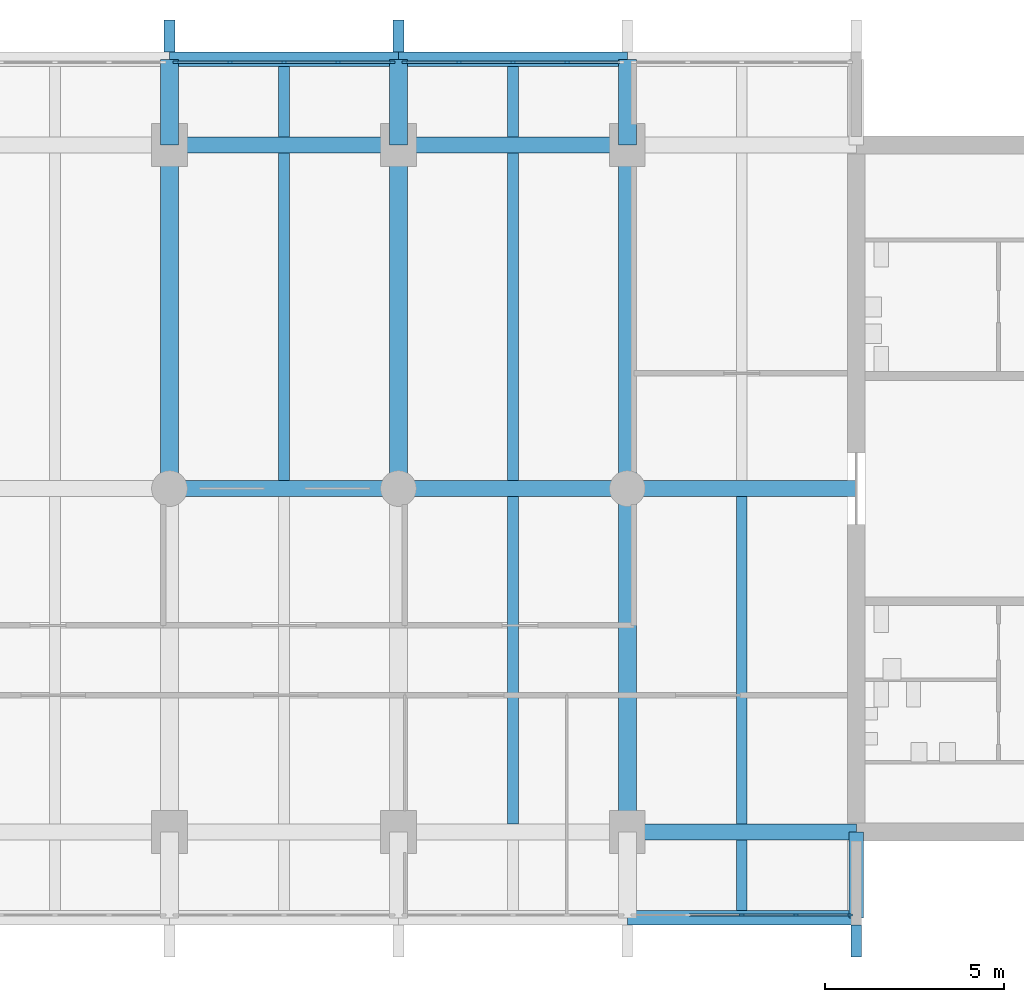
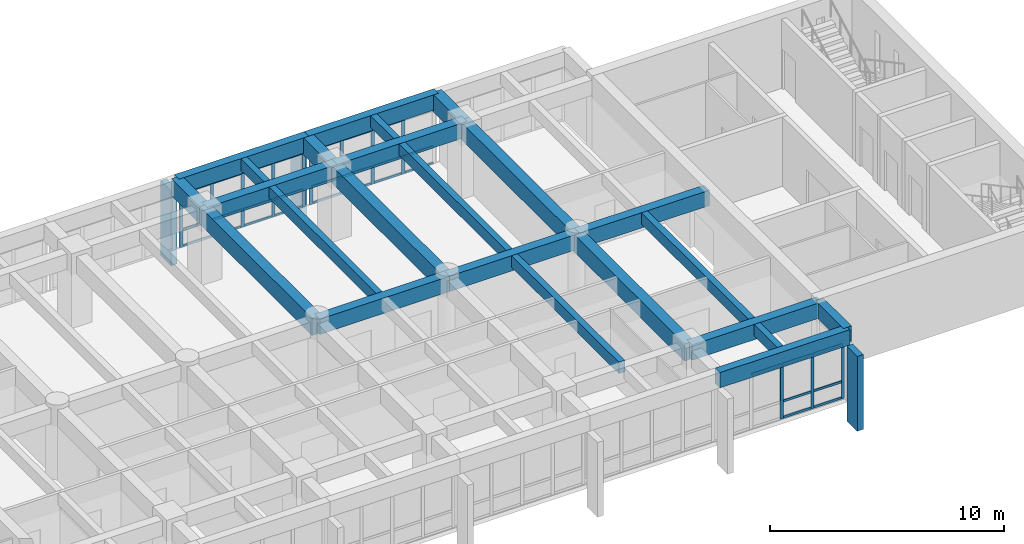
# One storey, part 5 of 15: 45 members, 24 beams, 3 elements without a shape of their own.
"""IFC4 building model written with IfcOpenShell, lengths in metres."""

from ifc_helpers import new_model, si_unit, direction, frame, origin, origin_2d, place, context, subcontext, project, spatial, rectangle, extrude, material, layer, layer_set, material_profile, profile_set, type_object, element, aggregate, save


model = new_model("IFC4")

# Units and contexts
model_context = context("Model", 3, precision=1e-05, world=origin(), true_north=direction((0.0, 1.0)))
body_context = subcontext(model_context, "Body", "Model", "MODEL_VIEW")
ifc_project = project(units=[si_unit("LENGTHUNIT", "METRE"), si_unit("AREAUNIT", "SQUARE_METRE"), si_unit("VOLUMEUNIT", "CUBIC_METRE"), si_unit("PLANEANGLEUNIT", "RADIAN"), si_unit("MASSUNIT", "GRAM", prefix="KILO")], contexts=[model_context])

# Site, building, storey
site_placement = place(None, origin())
site = spatial("IfcSite", under=ifc_project, at=site_placement, CompositionType="ELEMENT")
building_placement = place(site_placement, origin())
building = spatial("IfcBuilding", under=site, at=building_placement, Name="Fogon Plaza Fire Station and Headquarters Tower", CompositionType="ELEMENT")
storey_placement = place(building_placement, frame((0.0, 0.0, 28.800048828125)))
storey = spatial("IfcBuildingStorey", under=building, at=storey_placement, Name="L07", CompositionType="ELEMENT", Elevation=28.800048828125)

# Beams
ifc_material_1 = material(Name="Concrete C40", Category="concrete")
ifc_material_profile_1 = material_profile(ifc_material_1, rectangle(XDim=0.39990234375, YDim=0.800048828125, at=origin_2d()), Name="RC 400x800")
ifc_profile_set_1 = profile_set([ifc_material_profile_1], Name="Concrete C40")
beam_type_1 = type_object("IfcBeamType", Name="BEAM RC 400x800", PredefinedType="BEAM", material=ifc_profile_set_1)
for number, where, z_axis, x_axis, name in (
    (1, (57.60009765625, 31.199951171875, 3.280029296875), (1.0, 0.0, 0.0), (0.0, 1.0, 0.0), "beam-L07-044"),
    (2, (44.800048828125, 55.199951171875, 3.280029296875), (1.0, 0.0, 0.0), (0.0, 1.0, 0.0), "beam-L07-048"),
):
    element("IfcBeam", number, at=place(storey_placement, frame(where, z_axis=z_axis, x_axis=x_axis)), inside=storey, type_object=beam_type_1, Name=name, PredefinedType="BEAM", context=body_context, shape_type="SweptSolid", body=[
        extrude(rectangle(XDim=0.39990234375, YDim=0.800048828125, at=origin_2d()), origin(), (0.0, 0.0, 1.0), 6.39990234375),
    ])
beam_1_placement = place(storey_placement, frame((51.199951171875, 55.199951171875, 3.280029296875), z_axis=(1.0, 0.0, 0.0), x_axis=(0.0, 1.0, 0.0)))
element("IfcBeam", 3, at=beam_1_placement, inside=storey, type_object=beam_type_1, Name="beam-L07-049", PredefinedType="BEAM", context=body_context, shape_type="SweptSolid", body=[
    extrude(rectangle(XDim=0.39990234375, YDim=0.800048828125, at=origin_2d()), origin(), (0.0, 0.0, 1.0), 6.400146484375),
])
ifc_material_2 = material(Name="Concrete C40", Category="concrete")
ifc_material_profile_2 = material_profile(ifc_material_2, rectangle(XDim=0.39990234375, YDim=0.800048828125, at=origin_2d()), Name="RC 400x800")
ifc_profile_set_2 = profile_set([ifc_material_profile_2], Name="Concrete C40")
beam_type_2 = type_object("IfcBeamType", Name="BEAM RC 400x800 SPAN 0.0 TO 3.0 M", PredefinedType="BEAM", material=ifc_profile_set_2)
beam_2_placement = place(storey_placement, frame((64.0, 31.199951171875, 3.280029296875), z_axis=(0.0, 1.0, 0.0), x_axis=(-1.0, 0.0, 0.0)))
element("IfcBeam", 4, at=beam_2_placement, inside=storey, type_object=beam_type_2, Name="beam-L07-053", PredefinedType="BEAM", context=body_context, shape_type="SweptSolid", body=[
    extrude(rectangle(XDim=0.39990234375, YDim=0.800048828125, at=origin_2d()), origin(), (0.0, 0.0, 1.0), 2.400146484375),
])
ifc_material_3 = material(Name="Concrete C40", Category="concrete")
ifc_material_profile_3 = material_profile(ifc_material_3, rectangle(XDim=0.449951171875, YDim=0.800048828125, at=origin_2d()), Name="RC 450x800")
ifc_profile_set_3 = profile_set([ifc_material_profile_3], Name="Concrete C40")
beam_type_3 = type_object("IfcBeamType", Name="BEAM RC 450x800", PredefinedType="BEAM", material=ifc_profile_set_3)
for number, where, z_axis, x_axis, name in (
    (5, (57.60009765625, 33.60009765625, 3.280029296875), (1.0, 0.0, 0.0), (0.0, 1.0, 0.0), "beam-L07-026"),
    (6, (44.800048828125, 43.199951171875, 3.280029296875), (1.0, 0.0, 0.0), (0.0, 1.0, 0.0), "beam-L07-030"),
):
    element("IfcBeam", number, at=place(storey_placement, frame(where, z_axis=z_axis, x_axis=x_axis)), inside=storey, type_object=beam_type_3, Name=name, PredefinedType="BEAM", context=body_context, shape_type="SweptSolid", body=[
        extrude(rectangle(XDim=0.449951171875, YDim=0.800048828125, at=origin_2d()), origin(), (0.0, 0.0, 1.0), 6.39990234375),
    ])
beam_3_placement = place(storey_placement, frame((51.199951171875, 43.199951171875, 3.280029296875), z_axis=(1.0, 0.0, 0.0), x_axis=(0.0, 1.0, 0.0)))
element("IfcBeam", 7, at=beam_3_placement, inside=storey, type_object=beam_type_3, Name="beam-L07-031", PredefinedType="BEAM", context=body_context, shape_type="SweptSolid", body=[
    extrude(rectangle(XDim=0.449951171875, YDim=0.800048828125, at=origin_2d()), origin(), (0.0, 0.0, 1.0), 6.400146484375),
])
for number, where, z_axis, x_axis, name in (
    (8, (57.60009765625, 43.199951171875, 3.280029296875), (1.0, 0.0, 0.0), (0.0, 1.0, 0.0), "beam-L07-032"),
    (9, (44.800048828125, 52.800048828125, 3.280029296875), (1.0, 0.0, 0.0), (0.0, 1.0, 0.0), "beam-L07-036"),
):
    element("IfcBeam", number, at=place(storey_placement, frame(where, z_axis=z_axis, x_axis=x_axis)), inside=storey, type_object=beam_type_3, Name=name, PredefinedType="BEAM", context=body_context, shape_type="SweptSolid", body=[
        extrude(rectangle(XDim=0.449951171875, YDim=0.800048828125, at=origin_2d()), origin(), (0.0, 0.0, 1.0), 6.39990234375),
    ])
beam_4_placement = place(storey_placement, frame((51.199951171875, 52.800048828125, 3.280029296875), z_axis=(1.0, 0.0, 0.0), x_axis=(0.0, 1.0, 0.0)))
element("IfcBeam", 10, at=beam_4_placement, inside=storey, type_object=beam_type_3, Name="beam-L07-037", PredefinedType="BEAM", context=body_context, shape_type="SweptSolid", body=[
    extrude(rectangle(XDim=0.449951171875, YDim=0.800048828125, at=origin_2d()), origin(), (0.0, 0.0, 1.0), 6.400146484375),
])
ifc_material_4 = material(Name="Concrete C40", Category="concrete")
ifc_material_profile_4 = material_profile(ifc_material_4, rectangle(XDim=0.5, YDim=0.89990234375, at=origin_2d()), Name="RC 500x900")
ifc_profile_set_4 = profile_set([ifc_material_profile_4], Name="Concrete C40")
beam_type_4 = type_object("IfcBeamType", Name="BEAM RC 500x900 SPAN 0.0 TO 3.0 M", PredefinedType="BEAM", material=ifc_profile_set_4)
for number, where, z_axis, x_axis, name in (
    (11, (44.800048828125, 52.800048828125, 3.22998046875), (0.0, 1.0, 0.0), (-1.0, 0.0, 0.0), "beam-L07-012"),
    (12, (51.199951171875, 52.800048828125, 3.22998046875), (0.0, 1.0, 0.0), (-1.0, 0.0, 0.0), "beam-L07-016"),
    (13, (57.60009765625, 52.800048828125, 3.22998046875), (0.0, 1.0, 0.0), (-1.0, 0.0, 0.0), "beam-L07-020"),
):
    element("IfcBeam", number, at=place(storey_placement, frame(where, z_axis=z_axis, x_axis=x_axis)), inside=storey, type_object=beam_type_4, Name=name, PredefinedType="BEAM", context=body_context, shape_type="SweptSolid", body=[
        extrude(rectangle(XDim=0.5, YDim=0.89990234375, at=origin_2d()), origin(), (0.0, 0.0, 1.0), 2.39990234375),
    ])
ifc_material_5 = material(Name="Concrete C40", Category="concrete")
ifc_material_profile_5 = material_profile(ifc_material_5, rectangle(XDim=0.5, YDim=0.89990234375, at=origin_2d()), Name="RC 500x900")
ifc_profile_set_5 = profile_set([ifc_material_profile_5], Name="Concrete C40")
beam_type_5 = type_object("IfcBeamType", Name="BEAM RC 500x900 SPAN 7.7 TO 12.3 M", PredefinedType="BEAM", material=ifc_profile_set_5)
for number, where, z_axis, x_axis, name in (
    (14, (44.800048828125, 43.199951171875, 3.22998046875), (0.0, 1.0, 0.0), (-1.0, 0.0, 0.0), "beam-L07-011"),
    (15, (51.199951171875, 43.199951171875, 3.22998046875), (0.0, 1.0, 0.0), (-1.0, 0.0, 0.0), "beam-L07-015"),
):
    element("IfcBeam", number, at=place(storey_placement, frame(where, z_axis=z_axis, x_axis=x_axis)), inside=storey, type_object=beam_type_5, Name=name, PredefinedType="BEAM", context=body_context, shape_type="SweptSolid", body=[
        extrude(rectangle(XDim=0.5, YDim=0.89990234375, at=origin_2d()), origin(), (0.0, 0.0, 1.0), 9.60009765625),
    ])
beam_5_placement = place(storey_placement, frame((57.60009765625, 33.60009765625, 3.22998046875), z_axis=(0.0, 1.0, 0.0), x_axis=(-1.0, 0.0, 0.0)))
element("IfcBeam", 16, at=beam_5_placement, inside=storey, type_object=beam_type_5, Name="beam-L07-018", PredefinedType="BEAM", context=body_context, shape_type="SweptSolid", body=[
    extrude(rectangle(XDim=0.5, YDim=0.89990234375, at=origin_2d()), origin(), (0.0, 0.0, 1.0), 9.599853515625),
])
beam_6_placement = place(storey_placement, frame((57.60009765625, 43.199951171875, 3.22998046875), z_axis=(0.0, 1.0, 0.0), x_axis=(-1.0, 0.0, 0.0)))
element("IfcBeam", 17, at=beam_6_placement, inside=storey, type_object=beam_type_5, Name="beam-L07-019", PredefinedType="BEAM", context=body_context, shape_type="SweptSolid", body=[
    extrude(rectangle(XDim=0.5, YDim=0.89990234375, at=origin_2d()), origin(), (0.0, 0.0, 1.0), 9.60009765625),
])

# Curtain wall, members
ifc_material_6 = material(Name="Aluminium and glass", Category="aluminium")
ifc_layer = layer(ifc_material_6, 0.14990234375)
ifc_layer_set = layer_set([ifc_layer], Name="Aluminium and glass")
curtain_wall_type = type_object("IfcCurtainWallType", Name="Unitised Curtain Wall Run 6100x2880", PredefinedType="NOTDEFINED", material=ifc_layer_set)
curtain_wall_1_placement = place(storey_placement, origin())
curtain_wall_1 = element("IfcCurtainWall", 18, at=curtain_wall_1_placement, inside=storey, type_object=curtain_wall_type, Name="CW-6100x2880 S6 L07", PredefinedType="NOTDEFINED")
ifc_material_7 = material(Name="Aluminium", Category="aluminium")
ifc_material_profile_6 = material_profile(ifc_material_7, rectangle(XDim=0.06005859375, YDim=0.159912109375, at=origin_2d()), Name="Curtain Wall Mullion 60x160")
ifc_profile_set_6 = profile_set([ifc_material_profile_6], Name="Aluminium")
member_type_1 = type_object("IfcMemberType", Name="Curtain Wall Mullion 60x160", PredefinedType="MULLION", material=ifc_profile_set_6)
member_1_placement = place(storey_placement, frame((60.800048828125, 31.280029296875, 0.0), z_axis=(0.0, 0.0, 1.0), x_axis=(0.0, 1.0, 0.0)))
member_1 = element("IfcMember", 19, at=member_1_placement, type_object=member_type_1, Name="CW-6100x2880 mullion 3", PredefinedType="MULLION", context=body_context, shape_type="SweptSolid", body=[
    extrude(rectangle(XDim=0.06005859375, YDim=0.159912109375, at=origin_2d()), origin(), (0.0, 0.0, 1.0), 2.8798828125),
])
member_2_placement = place(storey_placement, frame((62.31005859375, 31.280029296875, 0.0), z_axis=(0.0, 0.0, 1.0), x_axis=(0.0, 1.0, 0.0)))
member_2 = element("IfcMember", 20, at=member_2_placement, type_object=member_type_1, Name="CW-6100x2880 mullion 4", PredefinedType="MULLION", context=body_context, shape_type="SweptSolid", body=[
    extrude(rectangle(XDim=0.06005859375, YDim=0.159912109375, at=origin_2d()), origin(), (0.0, 0.0, 1.0), 2.8798828125),
])
member_3_placement = place(storey_placement, frame((63.820068359375, 31.280029296875, 0.0), z_axis=(0.0, 0.0, 1.0), x_axis=(0.0, 1.0, 0.0)))
member_3 = element("IfcMember", 21, at=member_3_placement, type_object=member_type_1, Name="CW-6100x2880 mullion 5", PredefinedType="MULLION", context=body_context, shape_type="SweptSolid", body=[
    extrude(rectangle(XDim=0.06005859375, YDim=0.159912109375, at=origin_2d()), origin(), (0.0, 0.0, 1.0), 2.8798828125),
])

curtain_wall_2_placement = place(storey_placement, origin())
curtain_wall_2 = element("IfcCurtainWall", 22, at=curtain_wall_2_placement, inside=storey, type_object=curtain_wall_type, Name="CW-6100x2880 N4 L07", PredefinedType="NOTDEFINED")
member_4_placement = place(storey_placement, frame((44.97998046875, 55.1201171875, 0.0), z_axis=(0.0, 0.0, 1.0), x_axis=(0.0, 1.0, 0.0)))
member_4 = element("IfcMember", 23, at=member_4_placement, type_object=member_type_1, Name="CW-6100x2880 mullion 1", PredefinedType="MULLION", context=body_context, shape_type="SweptSolid", body=[
    extrude(rectangle(XDim=0.06005859375, YDim=0.159912109375, at=origin_2d()), origin(), (0.0, 0.0, 1.0), 2.8798828125),
])
member_5_placement = place(storey_placement, frame((46.489990234375, 55.1201171875, 0.0), z_axis=(0.0, 0.0, 1.0), x_axis=(0.0, 1.0, 0.0)))
member_5 = element("IfcMember", 24, at=member_5_placement, type_object=member_type_1, Name="CW-6100x2880 mullion 2", PredefinedType="MULLION", context=body_context, shape_type="SweptSolid", body=[
    extrude(rectangle(XDim=0.06005859375, YDim=0.159912109375, at=origin_2d()), origin(), (0.0, 0.0, 1.0), 2.8798828125),
])
member_6_placement = place(storey_placement, frame((48.0, 55.1201171875, 0.0), z_axis=(0.0, 0.0, 1.0), x_axis=(0.0, 1.0, 0.0)))
member_6 = element("IfcMember", 25, at=member_6_placement, type_object=member_type_1, Name="CW-6100x2880 mullion 3", PredefinedType="MULLION", context=body_context, shape_type="SweptSolid", body=[
    extrude(rectangle(XDim=0.06005859375, YDim=0.159912109375, at=origin_2d()), origin(), (0.0, 0.0, 1.0), 2.8798828125),
])
member_7_placement = place(storey_placement, frame((49.510009765625, 55.1201171875, 0.0), z_axis=(0.0, 0.0, 1.0), x_axis=(0.0, 1.0, 0.0)))
member_7 = element("IfcMember", 26, at=member_7_placement, type_object=member_type_1, Name="CW-6100x2880 mullion 4", PredefinedType="MULLION", context=body_context, shape_type="SweptSolid", body=[
    extrude(rectangle(XDim=0.06005859375, YDim=0.159912109375, at=origin_2d()), origin(), (0.0, 0.0, 1.0), 2.8798828125),
])
member_8_placement = place(storey_placement, frame((51.02001953125, 55.1201171875, 0.0), z_axis=(0.0, 0.0, 1.0), x_axis=(0.0, 1.0, 0.0)))
member_8 = element("IfcMember", 27, at=member_8_placement, type_object=member_type_1, Name="CW-6100x2880 mullion 5", PredefinedType="MULLION", context=body_context, shape_type="SweptSolid", body=[
    extrude(rectangle(XDim=0.06005859375, YDim=0.159912109375, at=origin_2d()), origin(), (0.0, 0.0, 1.0), 2.8798828125),
])

curtain_wall_3_placement = place(storey_placement, origin())
curtain_wall_3 = element("IfcCurtainWall", 28, at=curtain_wall_3_placement, inside=storey, type_object=curtain_wall_type, Name="CW-6100x2880 N5 L07", PredefinedType="NOTDEFINED")
member_9_placement = place(storey_placement, frame((51.3798828125, 55.1201171875, 0.0), z_axis=(0.0, 0.0, 1.0), x_axis=(0.0, 1.0, 0.0)))
member_9 = element("IfcMember", 29, at=member_9_placement, type_object=member_type_1, Name="CW-6100x2880 mullion 1", PredefinedType="MULLION", context=body_context, shape_type="SweptSolid", body=[
    extrude(rectangle(XDim=0.06005859375, YDim=0.159912109375, at=origin_2d()), origin(), (0.0, 0.0, 1.0), 2.8798828125),
])
member_10_placement = place(storey_placement, frame((52.889892578125, 55.1201171875, 0.0), z_axis=(0.0, 0.0, 1.0), x_axis=(0.0, 1.0, 0.0)))
member_10 = element("IfcMember", 30, at=member_10_placement, type_object=member_type_1, Name="CW-6100x2880 mullion 2", PredefinedType="MULLION", context=body_context, shape_type="SweptSolid", body=[
    extrude(rectangle(XDim=0.06005859375, YDim=0.159912109375, at=origin_2d()), origin(), (0.0, 0.0, 1.0), 2.8798828125),
])
member_11_placement = place(storey_placement, frame((54.39990234375, 55.1201171875, 0.0), z_axis=(0.0, 0.0, 1.0), x_axis=(0.0, 1.0, 0.0)))
member_11 = element("IfcMember", 31, at=member_11_placement, type_object=member_type_1, Name="CW-6100x2880 mullion 3", PredefinedType="MULLION", context=body_context, shape_type="SweptSolid", body=[
    extrude(rectangle(XDim=0.06005859375, YDim=0.159912109375, at=origin_2d()), origin(), (0.0, 0.0, 1.0), 2.8798828125),
])
member_12_placement = place(storey_placement, frame((55.909912109375, 55.1201171875, 0.0), z_axis=(0.0, 0.0, 1.0), x_axis=(0.0, 1.0, 0.0)))
member_12 = element("IfcMember", 32, at=member_12_placement, type_object=member_type_1, Name="CW-6100x2880 mullion 4", PredefinedType="MULLION", context=body_context, shape_type="SweptSolid", body=[
    extrude(rectangle(XDim=0.06005859375, YDim=0.159912109375, at=origin_2d()), origin(), (0.0, 0.0, 1.0), 2.8798828125),
])

# Member
ifc_material_8 = material(Name="Aluminium", Category="aluminium")
ifc_material_profile_7 = material_profile(ifc_material_8, rectangle(XDim=0.06005859375, YDim=0.1201171875, at=origin_2d()), Name="Curtain Wall Transom 60x120")
ifc_profile_set_7 = profile_set([ifc_material_profile_7], Name="Aluminium")
member_type_2 = type_object("IfcMemberType", Name="Curtain Wall Transom 60x120", PredefinedType="USERDEFINED", material=ifc_profile_set_7)
member_13_placement = place(storey_placement, frame((59.320068359375, 31.280029296875, 2.820068359375), z_axis=(1.0, 0.0, 0.0), x_axis=(0.0, 1.0, 0.0)))
member_13 = element("IfcMember", 33, at=member_13_placement, type_object=member_type_2, Name="CW-6100x2880 transom 2.3", ObjectType="TRANSOM", PredefinedType="USERDEFINED", context=body_context, shape_type="SweptSolid", body=[
    extrude(rectangle(XDim=0.06005859375, YDim=0.1201171875, at=origin_2d()), origin(), (0.0, 0.0, 1.0), 1.449951171875),
])

member_14_placement = place(storey_placement, frame((60.830078125, 31.280029296875, 0.06005859375), z_axis=(1.0, 0.0, 0.0), x_axis=(0.0, 1.0, 0.0)))
member_14 = element("IfcMember", 34, at=member_14_placement, type_object=member_type_2, Name="CW-6100x2880 transom 3.1", ObjectType="TRANSOM", PredefinedType="USERDEFINED", context=body_context, shape_type="SweptSolid", body=[
    extrude(rectangle(XDim=0.06005859375, YDim=0.1201171875, at=origin_2d()), origin(), (0.0, 0.0, 1.0), 1.449951171875),
])

member_15_placement = place(storey_placement, frame((60.830078125, 31.280029296875, 0.89990234375), z_axis=(1.0, 0.0, 0.0), x_axis=(0.0, 1.0, 0.0)))
member_15 = element("IfcMember", 35, at=member_15_placement, type_object=member_type_2, Name="CW-6100x2880 transom 3.2", ObjectType="TRANSOM", PredefinedType="USERDEFINED", context=body_context, shape_type="SweptSolid", body=[
    extrude(rectangle(XDim=0.06005859375, YDim=0.1201171875, at=origin_2d()), origin(), (0.0, 0.0, 1.0), 1.449951171875),
])

member_16_placement = place(storey_placement, frame((60.830078125, 31.280029296875, 2.820068359375), z_axis=(1.0, 0.0, 0.0), x_axis=(0.0, 1.0, 0.0)))
member_16 = element("IfcMember", 36, at=member_16_placement, type_object=member_type_2, Name="CW-6100x2880 transom 3.3", ObjectType="TRANSOM", PredefinedType="USERDEFINED", context=body_context, shape_type="SweptSolid", body=[
    extrude(rectangle(XDim=0.06005859375, YDim=0.1201171875, at=origin_2d()), origin(), (0.0, 0.0, 1.0), 1.449951171875),
])

member_17_placement = place(storey_placement, frame((62.340087890625, 31.280029296875, 0.06005859375), z_axis=(1.0, 0.0, 0.0), x_axis=(0.0, 1.0, 0.0)))
member_17 = element("IfcMember", 37, at=member_17_placement, type_object=member_type_2, Name="CW-6100x2880 transom 4.1", ObjectType="TRANSOM", PredefinedType="USERDEFINED", context=body_context, shape_type="SweptSolid", body=[
    extrude(rectangle(XDim=0.06005859375, YDim=0.1201171875, at=origin_2d()), origin(), (0.0, 0.0, 1.0), 1.449951171875),
])

member_18_placement = place(storey_placement, frame((62.340087890625, 31.280029296875, 0.89990234375), z_axis=(1.0, 0.0, 0.0), x_axis=(0.0, 1.0, 0.0)))
member_18 = element("IfcMember", 38, at=member_18_placement, type_object=member_type_2, Name="CW-6100x2880 transom 4.2", ObjectType="TRANSOM", PredefinedType="USERDEFINED", context=body_context, shape_type="SweptSolid", body=[
    extrude(rectangle(XDim=0.06005859375, YDim=0.1201171875, at=origin_2d()), origin(), (0.0, 0.0, 1.0), 1.449951171875),
])

member_19_placement = place(storey_placement, frame((62.340087890625, 31.280029296875, 2.820068359375), z_axis=(1.0, 0.0, 0.0), x_axis=(0.0, 1.0, 0.0)))
member_19 = element("IfcMember", 39, at=member_19_placement, type_object=member_type_2, Name="CW-6100x2880 transom 4.3", ObjectType="TRANSOM", PredefinedType="USERDEFINED", context=body_context, shape_type="SweptSolid", body=[
    extrude(rectangle(XDim=0.06005859375, YDim=0.1201171875, at=origin_2d()), origin(), (0.0, 0.0, 1.0), 1.449951171875),
])

aggregate(curtain_wall_1, [member_1, member_2, member_3, member_13, member_14, member_15, member_16, member_17, member_18, member_19])

member_20_placement = place(storey_placement, frame((45.010009765625, 55.1201171875, 0.06005859375), z_axis=(1.0, 0.0, 0.0), x_axis=(0.0, 1.0, 0.0)))
member_20 = element("IfcMember", 40, at=member_20_placement, type_object=member_type_2, Name="CW-6100x2880 transom 1.1", ObjectType="TRANSOM", PredefinedType="USERDEFINED", context=body_context, shape_type="SweptSolid", body=[
    extrude(rectangle(XDim=0.06005859375, YDim=0.1201171875, at=origin_2d()), origin(), (0.0, 0.0, 1.0), 1.449951171875),
])

member_21_placement = place(storey_placement, frame((45.010009765625, 55.1201171875, 0.89990234375), z_axis=(1.0, 0.0, 0.0), x_axis=(0.0, 1.0, 0.0)))
member_21 = element("IfcMember", 41, at=member_21_placement, type_object=member_type_2, Name="CW-6100x2880 transom 1.2", ObjectType="TRANSOM", PredefinedType="USERDEFINED", context=body_context, shape_type="SweptSolid", body=[
    extrude(rectangle(XDim=0.06005859375, YDim=0.1201171875, at=origin_2d()), origin(), (0.0, 0.0, 1.0), 1.449951171875),
])

member_22_placement = place(storey_placement, frame((45.010009765625, 55.1201171875, 2.820068359375), z_axis=(1.0, 0.0, 0.0), x_axis=(0.0, 1.0, 0.0)))
member_22 = element("IfcMember", 42, at=member_22_placement, type_object=member_type_2, Name="CW-6100x2880 transom 1.3", ObjectType="TRANSOM", PredefinedType="USERDEFINED", context=body_context, shape_type="SweptSolid", body=[
    extrude(rectangle(XDim=0.06005859375, YDim=0.1201171875, at=origin_2d()), origin(), (0.0, 0.0, 1.0), 1.449951171875),
])

member_23_placement = place(storey_placement, frame((46.52001953125, 55.1201171875, 0.06005859375), z_axis=(1.0, 0.0, 0.0), x_axis=(0.0, 1.0, 0.0)))
member_23 = element("IfcMember", 43, at=member_23_placement, type_object=member_type_2, Name="CW-6100x2880 transom 2.1", ObjectType="TRANSOM", PredefinedType="USERDEFINED", context=body_context, shape_type="SweptSolid", body=[
    extrude(rectangle(XDim=0.06005859375, YDim=0.1201171875, at=origin_2d()), origin(), (0.0, 0.0, 1.0), 1.449951171875),
])

member_24_placement = place(storey_placement, frame((46.52001953125, 55.1201171875, 0.89990234375), z_axis=(1.0, 0.0, 0.0), x_axis=(0.0, 1.0, 0.0)))
member_24 = element("IfcMember", 44, at=member_24_placement, type_object=member_type_2, Name="CW-6100x2880 transom 2.2", ObjectType="TRANSOM", PredefinedType="USERDEFINED", context=body_context, shape_type="SweptSolid", body=[
    extrude(rectangle(XDim=0.06005859375, YDim=0.1201171875, at=origin_2d()), origin(), (0.0, 0.0, 1.0), 1.449951171875),
])

member_25_placement = place(storey_placement, frame((46.52001953125, 55.1201171875, 2.820068359375), z_axis=(1.0, 0.0, 0.0), x_axis=(0.0, 1.0, 0.0)))
member_25 = element("IfcMember", 45, at=member_25_placement, type_object=member_type_2, Name="CW-6100x2880 transom 2.3", ObjectType="TRANSOM", PredefinedType="USERDEFINED", context=body_context, shape_type="SweptSolid", body=[
    extrude(rectangle(XDim=0.06005859375, YDim=0.1201171875, at=origin_2d()), origin(), (0.0, 0.0, 1.0), 1.449951171875),
])

member_26_placement = place(storey_placement, frame((48.030029296875, 55.1201171875, 0.06005859375), z_axis=(1.0, 0.0, 0.0), x_axis=(0.0, 1.0, 0.0)))
member_26 = element("IfcMember", 46, at=member_26_placement, type_object=member_type_2, Name="CW-6100x2880 transom 3.1", ObjectType="TRANSOM", PredefinedType="USERDEFINED", context=body_context, shape_type="SweptSolid", body=[
    extrude(rectangle(XDim=0.06005859375, YDim=0.1201171875, at=origin_2d()), origin(), (0.0, 0.0, 1.0), 1.449951171875),
])

member_27_placement = place(storey_placement, frame((48.030029296875, 55.1201171875, 0.89990234375), z_axis=(1.0, 0.0, 0.0), x_axis=(0.0, 1.0, 0.0)))
member_27 = element("IfcMember", 47, at=member_27_placement, type_object=member_type_2, Name="CW-6100x2880 transom 3.2", ObjectType="TRANSOM", PredefinedType="USERDEFINED", context=body_context, shape_type="SweptSolid", body=[
    extrude(rectangle(XDim=0.06005859375, YDim=0.1201171875, at=origin_2d()), origin(), (0.0, 0.0, 1.0), 1.449951171875),
])

member_28_placement = place(storey_placement, frame((48.030029296875, 55.1201171875, 2.820068359375), z_axis=(1.0, 0.0, 0.0), x_axis=(0.0, 1.0, 0.0)))
member_28 = element("IfcMember", 48, at=member_28_placement, type_object=member_type_2, Name="CW-6100x2880 transom 3.3", ObjectType="TRANSOM", PredefinedType="USERDEFINED", context=body_context, shape_type="SweptSolid", body=[
    extrude(rectangle(XDim=0.06005859375, YDim=0.1201171875, at=origin_2d()), origin(), (0.0, 0.0, 1.0), 1.449951171875),
])

member_29_placement = place(storey_placement, frame((49.5400390625, 55.1201171875, 0.06005859375), z_axis=(1.0, 0.0, 0.0), x_axis=(0.0, 1.0, 0.0)))
member_29 = element("IfcMember", 49, at=member_29_placement, type_object=member_type_2, Name="CW-6100x2880 transom 4.1", ObjectType="TRANSOM", PredefinedType="USERDEFINED", context=body_context, shape_type="SweptSolid", body=[
    extrude(rectangle(XDim=0.06005859375, YDim=0.1201171875, at=origin_2d()), origin(), (0.0, 0.0, 1.0), 1.449951171875),
])

member_30_placement = place(storey_placement, frame((49.5400390625, 55.1201171875, 0.89990234375), z_axis=(1.0, 0.0, 0.0), x_axis=(0.0, 1.0, 0.0)))
member_30 = element("IfcMember", 50, at=member_30_placement, type_object=member_type_2, Name="CW-6100x2880 transom 4.2", ObjectType="TRANSOM", PredefinedType="USERDEFINED", context=body_context, shape_type="SweptSolid", body=[
    extrude(rectangle(XDim=0.06005859375, YDim=0.1201171875, at=origin_2d()), origin(), (0.0, 0.0, 1.0), 1.449951171875),
])

member_31_placement = place(storey_placement, frame((49.5400390625, 55.1201171875, 2.820068359375), z_axis=(1.0, 0.0, 0.0), x_axis=(0.0, 1.0, 0.0)))
member_31 = element("IfcMember", 51, at=member_31_placement, type_object=member_type_2, Name="CW-6100x2880 transom 4.3", ObjectType="TRANSOM", PredefinedType="USERDEFINED", context=body_context, shape_type="SweptSolid", body=[
    extrude(rectangle(XDim=0.06005859375, YDim=0.1201171875, at=origin_2d()), origin(), (0.0, 0.0, 1.0), 1.449951171875),
])

aggregate(curtain_wall_2, [member_4, member_5, member_6, member_7, member_8, member_20, member_21, member_22, member_23, member_24, member_25, member_26, member_27, member_28, member_29, member_30, member_31])

member_32_placement = place(storey_placement, frame((51.409912109375, 55.1201171875, 0.06005859375), z_axis=(1.0, 0.0, 0.0), x_axis=(0.0, 1.0, 0.0)))
member_32 = element("IfcMember", 52, at=member_32_placement, type_object=member_type_2, Name="CW-6100x2880 transom 1.1", ObjectType="TRANSOM", PredefinedType="USERDEFINED", context=body_context, shape_type="SweptSolid", body=[
    extrude(rectangle(XDim=0.06005859375, YDim=0.1201171875, at=origin_2d()), origin(), (0.0, 0.0, 1.0), 1.4501953125),
])

member_33_placement = place(storey_placement, frame((51.409912109375, 55.1201171875, 0.89990234375), z_axis=(1.0, 0.0, 0.0), x_axis=(0.0, 1.0, 0.0)))
member_33 = element("IfcMember", 53, at=member_33_placement, type_object=member_type_2, Name="CW-6100x2880 transom 1.2", ObjectType="TRANSOM", PredefinedType="USERDEFINED", context=body_context, shape_type="SweptSolid", body=[
    extrude(rectangle(XDim=0.06005859375, YDim=0.1201171875, at=origin_2d()), origin(), (0.0, 0.0, 1.0), 1.4501953125),
])

member_34_placement = place(storey_placement, frame((51.409912109375, 55.1201171875, 2.820068359375), z_axis=(1.0, 0.0, 0.0), x_axis=(0.0, 1.0, 0.0)))
member_34 = element("IfcMember", 54, at=member_34_placement, type_object=member_type_2, Name="CW-6100x2880 transom 1.3", ObjectType="TRANSOM", PredefinedType="USERDEFINED", context=body_context, shape_type="SweptSolid", body=[
    extrude(rectangle(XDim=0.06005859375, YDim=0.1201171875, at=origin_2d()), origin(), (0.0, 0.0, 1.0), 1.4501953125),
])

member_35_placement = place(storey_placement, frame((52.919921875, 55.1201171875, 0.06005859375), z_axis=(1.0, 0.0, 0.0), x_axis=(0.0, 1.0, 0.0)))
member_35 = element("IfcMember", 55, at=member_35_placement, type_object=member_type_2, Name="CW-6100x2880 transom 2.1", ObjectType="TRANSOM", PredefinedType="USERDEFINED", context=body_context, shape_type="SweptSolid", body=[
    extrude(rectangle(XDim=0.06005859375, YDim=0.1201171875, at=origin_2d()), origin(), (0.0, 0.0, 1.0), 1.4501953125),
])

member_36_placement = place(storey_placement, frame((52.919921875, 55.1201171875, 0.89990234375), z_axis=(1.0, 0.0, 0.0), x_axis=(0.0, 1.0, 0.0)))
member_36 = element("IfcMember", 56, at=member_36_placement, type_object=member_type_2, Name="CW-6100x2880 transom 2.2", ObjectType="TRANSOM", PredefinedType="USERDEFINED", context=body_context, shape_type="SweptSolid", body=[
    extrude(rectangle(XDim=0.06005859375, YDim=0.1201171875, at=origin_2d()), origin(), (0.0, 0.0, 1.0), 1.4501953125),
])

member_37_placement = place(storey_placement, frame((52.919921875, 55.1201171875, 2.820068359375), z_axis=(1.0, 0.0, 0.0), x_axis=(0.0, 1.0, 0.0)))
member_37 = element("IfcMember", 57, at=member_37_placement, type_object=member_type_2, Name="CW-6100x2880 transom 2.3", ObjectType="TRANSOM", PredefinedType="USERDEFINED", context=body_context, shape_type="SweptSolid", body=[
    extrude(rectangle(XDim=0.06005859375, YDim=0.1201171875, at=origin_2d()), origin(), (0.0, 0.0, 1.0), 1.4501953125),
])

member_38_placement = place(storey_placement, frame((54.429931640625, 55.1201171875, 0.06005859375), z_axis=(1.0, 0.0, 0.0), x_axis=(0.0, 1.0, 0.0)))
member_38 = element("IfcMember", 58, at=member_38_placement, type_object=member_type_2, Name="CW-6100x2880 transom 3.1", ObjectType="TRANSOM", PredefinedType="USERDEFINED", context=body_context, shape_type="SweptSolid", body=[
    extrude(rectangle(XDim=0.06005859375, YDim=0.1201171875, at=origin_2d()), origin(), (0.0, 0.0, 1.0), 1.449951171875),
])

member_39_placement = place(storey_placement, frame((54.429931640625, 55.1201171875, 0.89990234375), z_axis=(1.0, 0.0, 0.0), x_axis=(0.0, 1.0, 0.0)))
member_39 = element("IfcMember", 59, at=member_39_placement, type_object=member_type_2, Name="CW-6100x2880 transom 3.2", ObjectType="TRANSOM", PredefinedType="USERDEFINED", context=body_context, shape_type="SweptSolid", body=[
    extrude(rectangle(XDim=0.06005859375, YDim=0.1201171875, at=origin_2d()), origin(), (0.0, 0.0, 1.0), 1.449951171875),
])

member_40_placement = place(storey_placement, frame((54.429931640625, 55.1201171875, 2.820068359375), z_axis=(1.0, 0.0, 0.0), x_axis=(0.0, 1.0, 0.0)))
member_40 = element("IfcMember", 60, at=member_40_placement, type_object=member_type_2, Name="CW-6100x2880 transom 3.3", ObjectType="TRANSOM", PredefinedType="USERDEFINED", context=body_context, shape_type="SweptSolid", body=[
    extrude(rectangle(XDim=0.06005859375, YDim=0.1201171875, at=origin_2d()), origin(), (0.0, 0.0, 1.0), 1.449951171875),
])

member_41_placement = place(storey_placement, frame((55.93994140625, 55.1201171875, 0.06005859375), z_axis=(1.0, 0.0, 0.0), x_axis=(0.0, 1.0, 0.0)))
member_41 = element("IfcMember", 61, at=member_41_placement, type_object=member_type_2, Name="CW-6100x2880 transom 4.1", ObjectType="TRANSOM", PredefinedType="USERDEFINED", context=body_context, shape_type="SweptSolid", body=[
    extrude(rectangle(XDim=0.06005859375, YDim=0.1201171875, at=origin_2d()), origin(), (0.0, 0.0, 1.0), 1.449951171875),
])

member_42_placement = place(storey_placement, frame((55.93994140625, 55.1201171875, 0.89990234375), z_axis=(1.0, 0.0, 0.0), x_axis=(0.0, 1.0, 0.0)))
member_42 = element("IfcMember", 62, at=member_42_placement, type_object=member_type_2, Name="CW-6100x2880 transom 4.2", ObjectType="TRANSOM", PredefinedType="USERDEFINED", context=body_context, shape_type="SweptSolid", body=[
    extrude(rectangle(XDim=0.06005859375, YDim=0.1201171875, at=origin_2d()), origin(), (0.0, 0.0, 1.0), 1.449951171875),
])

aggregate(curtain_wall_3, [member_9, member_10, member_11, member_12, member_32, member_33, member_34, member_35, member_36, member_37, member_38, member_39, member_40, member_41, member_42])

# Beams
ifc_material_9 = material(Name="Concrete C40", Category="concrete")
ifc_material_profile_8 = material_profile(ifc_material_9, rectangle(XDim=0.300048828125, YDim=0.60009765625, at=origin_2d()), Name="RC 300x600")
ifc_profile_set_8 = profile_set([ifc_material_profile_8], Name="Concrete C40")
beam_type_6 = type_object("IfcBeamType", Name="JOIST RC 300x600", PredefinedType="JOIST", material=ifc_profile_set_8)
beam_7_placement = place(storey_placement, frame((48.0, 43.425048828125, 3.3798828125), z_axis=(0.0, 1.0, 0.0), x_axis=(-1.0, 0.0, 0.0)))
element("IfcBeam", 63, at=beam_7_placement, inside=storey, type_object=beam_type_6, Name="beam-L07-069", PredefinedType="JOIST", context=body_context, shape_type="SweptSolid", body=[
    extrude(rectangle(XDim=0.300048828125, YDim=0.60009765625, at=origin_2d()), origin(), (0.0, 0.0, 1.0), 9.14990234375),
])
beam_8_placement = place(storey_placement, frame((54.39990234375, 33.824951171875, 3.3798828125), z_axis=(0.0, 1.0, 0.0), x_axis=(-1.0, 0.0, 0.0)))
element("IfcBeam", 64, at=beam_8_placement, inside=storey, type_object=beam_type_6, Name="beam-L07-072", PredefinedType="JOIST", context=body_context, shape_type="SweptSolid", body=[
    extrude(rectangle(XDim=0.300048828125, YDim=0.60009765625, at=origin_2d()), origin(), (0.0, 0.0, 1.0), 9.150146484375),
])
beam_9_placement = place(storey_placement, frame((54.39990234375, 43.425048828125, 3.3798828125), z_axis=(0.0, 1.0, 0.0), x_axis=(-1.0, 0.0, 0.0)))
element("IfcBeam", 65, at=beam_9_placement, inside=storey, type_object=beam_type_6, Name="beam-L07-073", PredefinedType="JOIST", context=body_context, shape_type="SweptSolid", body=[
    extrude(rectangle(XDim=0.300048828125, YDim=0.60009765625, at=origin_2d()), origin(), (0.0, 0.0, 1.0), 9.14990234375),
])
beam_10_placement = place(storey_placement, frame((60.800048828125, 33.824951171875, 3.3798828125), z_axis=(0.0, 1.0, 0.0), x_axis=(-1.0, 0.0, 0.0)))
element("IfcBeam", 66, at=beam_10_placement, inside=storey, type_object=beam_type_6, Name="beam-L07-076", PredefinedType="JOIST", context=body_context, shape_type="SweptSolid", body=[
    extrude(rectangle(XDim=0.300048828125, YDim=0.60009765625, at=origin_2d()), origin(), (0.0, 0.0, 1.0), 9.150146484375),
])
ifc_material_10 = material(Name="Concrete C40", Category="concrete")
ifc_material_profile_9 = material_profile(ifc_material_10, rectangle(XDim=0.300048828125, YDim=0.60009765625, at=origin_2d()), Name="RC 300x600")
ifc_profile_set_9 = profile_set([ifc_material_profile_9], Name="Concrete C40")
beam_type_7 = type_object("IfcBeamType", Name="JOIST RC 300x600 SPAN 0.0 TO 3.0 M", PredefinedType="JOIST", material=ifc_profile_set_9)
for number, where, z_axis, x_axis, name in (
    (67, (48.0, 53.02490234375, 3.3798828125), (0.0, 1.0, 0.0), (-1.0, 0.0, 0.0), "beam-L07-070"),
    (68, (54.39990234375, 53.02490234375, 3.3798828125), (0.0, 1.0, 0.0), (-1.0, 0.0, 0.0), "beam-L07-074"),
    (69, (60.800048828125, 31.39990234375, 3.3798828125), (0.0, 1.0, 0.0), (-1.0, 0.0, 0.0), "beam-L07-075"),
):
    element("IfcBeam", number, at=place(storey_placement, frame(where, z_axis=z_axis, x_axis=x_axis)), inside=storey, type_object=beam_type_7, Name=name, PredefinedType="JOIST", context=body_context, shape_type="SweptSolid", body=[
        extrude(rectangle(XDim=0.300048828125, YDim=0.60009765625, at=origin_2d()), origin(), (0.0, 0.0, 1.0), 1.97509765625),
    ])

# Members
ifc_material_11 = material(Name="Concrete C40 precast", Category="concrete")
ifc_material_profile_10 = material_profile(ifc_material_11, rectangle(XDim=0.300048828125, YDim=0.89990234375, at=origin_2d()), Name="Precast Concrete Post 300x900")
ifc_profile_set_10 = profile_set([ifc_material_profile_10], Name="Concrete C40 precast")
member_type_3 = type_object("IfcMemberType", Name="Precast Concrete Post 300x900", PredefinedType="POST", material=ifc_profile_set_10)
for number, where, z_axis, x_axis, name in (
    (70, (64.0, 30.550048828125, -1.02001953125), (0.0, 0.0, 1.0), (1.0, 0.0, 0.0), "Precast Post S L07"),
    (71, (44.800048828125, 55.85009765625, -1.02001953125), (0.0, 0.0, 1.0), (1.0, 0.0, 0.0), "Precast Post N L07"),
    (72, (51.199951171875, 55.85009765625, -1.02001953125), (0.0, 0.0, 1.0), (1.0, 0.0, 0.0), "Precast Post N L07"),
):
    element("IfcMember", number, at=place(storey_placement, frame(where, z_axis=z_axis, x_axis=x_axis)), inside=storey, type_object=member_type_3, Name=name, PredefinedType="POST", context=body_context, shape_type="SweptSolid", body=[
        extrude(rectangle(XDim=0.300048828125, YDim=0.89990234375, at=origin_2d()), origin(), (0.0, 0.0, 1.0), 3.89990234375),
    ])

save(model, "model.ifc")
